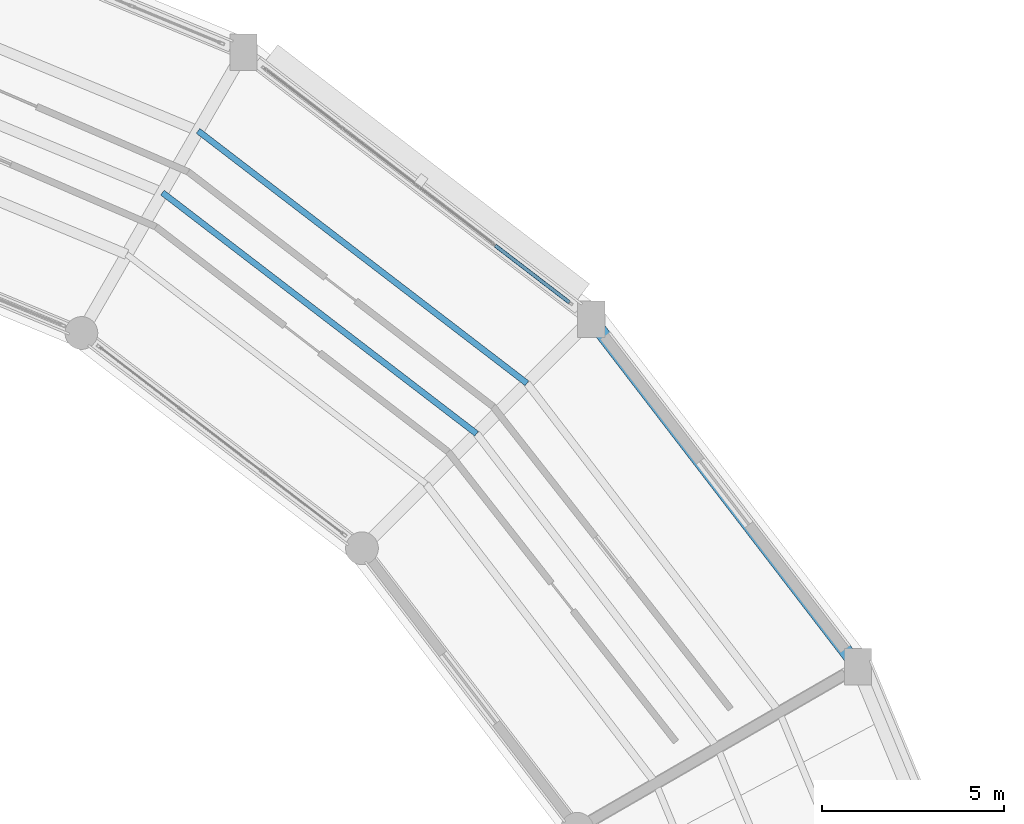
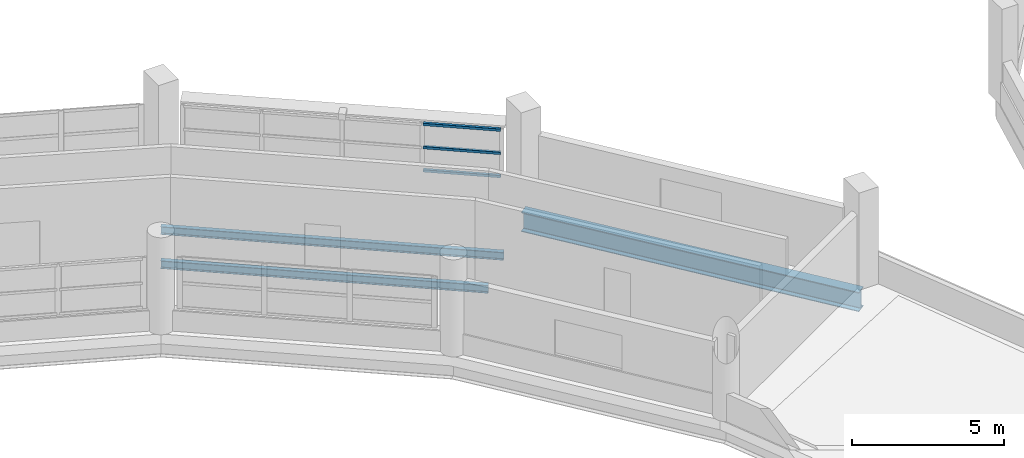
# One storey, part 70 of 108: 3 beams, 3 members, 1 element without a shape of its own.
"""IFC4 building model written with IfcOpenShell, lengths in metres."""

from ifc_helpers import new_model, si_unit, direction, frame, origin, origin_2d, place, context, subcontext, project, spatial, hollow_rectangle, i_section, extrude, material, layer, layer_set, material_profile, profile_set, type_object, element, aggregate, save


model = new_model("IFC4")

# Units and contexts
model_context = context("Model", 3, precision=1e-05, world=origin(), true_north=direction((0.0, 1.0)))
body_context = subcontext(model_context, "Body", "Model", "MODEL_VIEW")
ifc_project = project(units=[si_unit("LENGTHUNIT", "METRE"), si_unit("AREAUNIT", "SQUARE_METRE"), si_unit("VOLUMEUNIT", "CUBIC_METRE"), si_unit("PLANEANGLEUNIT", "RADIAN"), si_unit("MASSUNIT", "GRAM", prefix="KILO")], contexts=[model_context])

# Site, building, storey
site_placement = place(None, origin())
site = spatial("IfcSite", under=ifc_project, at=site_placement, CompositionType="ELEMENT")
building_placement = place(site_placement, origin())
building = spatial("IfcBuilding", under=site, at=building_placement, Name="Vespera Passage Community Centre", CompositionType="ELEMENT")
storey_placement = place(building_placement, frame((0.0, 0.0, 12.60009765625)))
storey = spatial("IfcBuildingStorey", under=building, at=storey_placement, Name="L03", CompositionType="ELEMENT", Elevation=12.60009765625)

# Beams
ifc_material_1 = material(Name="Steel ASTM A992 Grade 50", Category="steel")
ifc_material_profile_1 = material_profile(ifc_material_1, i_section(OverallWidth=0.16650390625, OverallDepth=0.3173828125, WebThickness=0.007568359375, FlangeThickness=0.01318359375, FilletRadius=0.007568359375, at=origin_2d()), Name="W12X35")
ifc_profile_set_1 = profile_set([ifc_material_profile_1], Name="Steel ASTM A992 Grade 50")
beam_type_1 = type_object("IfcBeamType", Name="BM-J-W12X35", PredefinedType="JOIST", material=ifc_profile_set_1)
beam_1_placement = place(storey_placement, frame((107.450927734375, 94.950927734375, -0.558837890625), z_axis=(-0.793344633629, 0.608772775584, 0.0), x_axis=(-0.608772775584, -0.793344633629, 0.0)))
element("IfcBeam", 1, at=beam_1_placement, inside=storey, type_object=beam_type_1, Name="V4 L03 Floor Joist 3.2", PredefinedType="JOIST", context=body_context, shape_type="SweptSolid", body=[
    extrude(i_section(OverallWidth=0.16650390625, OverallDepth=0.3173828125, WebThickness=0.007568359375, FlangeThickness=0.01318359375, FilletRadius=0.007568359375, at=origin_2d()), origin(), (0.0, 0.0, 1.0), 10.873046875),
])
beam_2_placement = place(storey_placement, frame((108.83544921875, 96.33544921875, -0.558837890625), z_axis=(-0.793350515415, 0.608765110442, 0.0), x_axis=(-0.608765110442, -0.793350515415, 0.0)))
element("IfcBeam", 2, at=beam_2_placement, inside=storey, type_object=beam_type_1, Name="V4 L03 Floor Joist 3.3", PredefinedType="JOIST", context=body_context, shape_type="SweptSolid", body=[
    extrude(i_section(OverallWidth=0.16650390625, OverallDepth=0.3173828125, WebThickness=0.007568359375, FlangeThickness=0.01318359375, FilletRadius=0.007568359375, at=origin_2d()), origin(), (0.0, 0.0, 1.0), 11.384033203125),
])
ifc_material_2 = material(Name="Steel ASTM A992 Grade 50", Category="steel")
ifc_material_profile_2 = material_profile(ifc_material_2, i_section(OverallWidth=0.382080078125, OverallDepth=0.779296875, WebThickness=0.01806640625, FlangeThickness=0.030029296875, FilletRadius=0.0166015625, at=origin_2d()), Name="W30X191")
ifc_profile_set_2 = profile_set([ifc_material_profile_2], Name="Steel ASTM A992 Grade 50")
beam_type_2 = type_object("IfcBeamType", Name="BM-SP-W30X191E", PredefinedType="SPANDREL", material=ifc_profile_set_2)
beam_3_placement = place(storey_placement, frame((117.923828125, 88.550048828125, -0.789794921875), z_axis=(-0.608763261066, 0.793351934501, 0.0), x_axis=(-0.793351934501, -0.608763261066, 0.0)))
element("IfcBeam", 3, at=beam_3_placement, inside=storey, type_object=beam_type_2, Name="V4 L03 Outer Spandrel 2", PredefinedType="SPANDREL", context=body_context, shape_type="SweptSolid", body=[
    extrude(i_section(OverallWidth=0.382080078125, OverallDepth=0.779296875, WebThickness=0.01806640625, FlangeThickness=0.030029296875, FilletRadius=0.0166015625, at=origin_2d()), origin(), (0.0, 0.0, 1.0), 12.034423828125),
])

# Curtain wall, members
ifc_material_3 = material(Name="Anodized aluminium 6063-T6", Category="aluminium")
ifc_layer = layer(ifc_material_3, 0.159912109375)
ifc_layer_set = layer_set([ifc_layer], Name="Anodized aluminium 6063-T6")
curtain_wall_type = type_object("IfcCurtainWallType", Name="CW-37E", PredefinedType="NOTDEFINED", material=ifc_layer_set)
curtain_wall_placement = place(storey_placement, origin())
curtain_wall = element("IfcCurtainWall", 4, at=curtain_wall_placement, inside=storey, type_object=curtain_wall_type, Name="V4 L03 Outer Ribbon Curtain Wall 3", PredefinedType="NOTDEFINED")
ifc_material_4 = material(Name="Anodized aluminium 6063-T6", Category="aluminium")
ifc_material_profile_3 = material_profile(ifc_material_4, hollow_rectangle(XDim=0.10009765625, YDim=0.10009765625, WallThickness=0.00390625, InnerFilletRadius=0.001953125, OuterFilletRadius=0.00390625, at=origin_2d()), Name="ALU100X100X4")
ifc_profile_set_3 = profile_set([ifc_material_profile_3], Name="Anodized aluminium 6063-T6")
member_type = type_object("IfcMemberType", Name="MB-CWT-100E", PredefinedType="USERDEFINED", material=ifc_profile_set_3)
member_1_placement = place(storey_placement, frame((107.963623046875, 100.11865234375, 0.869873046875), z_axis=(0.793344571237, -0.608772856893, 0.0), x_axis=(0.608772856893, 0.793344571237, 0.0)))
member_1 = element("IfcMember", 5, at=member_1_placement, type_object=member_type, Name="CW-37E transom 4.1", ObjectType="TRANSOM", PredefinedType="USERDEFINED", context=body_context, shape_type="SweptSolid", body=[
    extrude(hollow_rectangle(XDim=0.10009765625, YDim=0.10009765625, WallThickness=0.00390625, InnerFilletRadius=0.001953125, OuterFilletRadius=0.00390625, at=origin_2d()), origin(), (0.0, 0.0, 1.0), 2.5673828125),
])
member_2_placement = place(storey_placement, frame((107.963623046875, 100.11865234375, 1.802734375), z_axis=(0.793344571237, -0.608772856893, 0.0), x_axis=(0.608772856893, 0.793344571237, 0.0)))
member_2 = element("IfcMember", 6, at=member_2_placement, type_object=member_type, Name="CW-37E transom 4.2", ObjectType="TRANSOM", PredefinedType="USERDEFINED", context=body_context, shape_type="SweptSolid", body=[
    extrude(hollow_rectangle(XDim=0.10009765625, YDim=0.10009765625, WallThickness=0.00390625, InnerFilletRadius=0.001953125, OuterFilletRadius=0.00390625, at=origin_2d()), origin(), (0.0, 0.0, 1.0), 2.5673828125),
])
member_3_placement = place(storey_placement, frame((107.963623046875, 100.11865234375, 2.735595703125), z_axis=(0.793344571237, -0.608772856893, 0.0), x_axis=(0.608772856893, 0.793344571237, 0.0)))
member_3 = element("IfcMember", 7, at=member_3_placement, type_object=member_type, Name="CW-37E transom 4.3", ObjectType="TRANSOM", PredefinedType="USERDEFINED", context=body_context, shape_type="SweptSolid", body=[
    extrude(hollow_rectangle(XDim=0.10009765625, YDim=0.10009765625, WallThickness=0.00390625, InnerFilletRadius=0.001953125, OuterFilletRadius=0.00390625, at=origin_2d()), origin(), (0.0, 0.0, 1.0), 2.5673828125),
])
aggregate(curtain_wall, [member_1, member_2, member_3])

save(model, "model.ifc")
